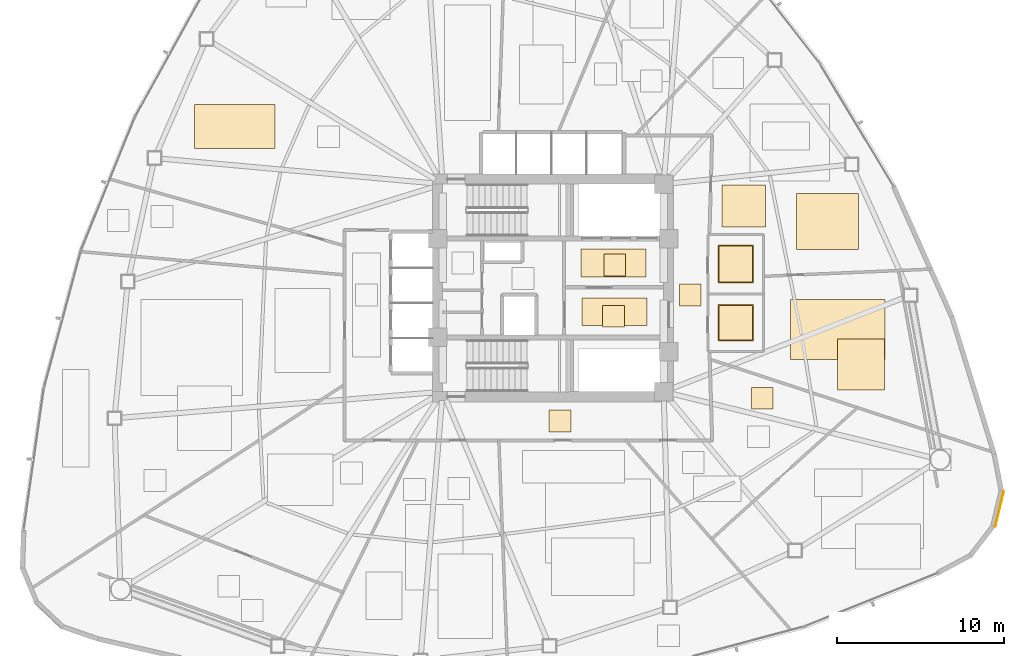
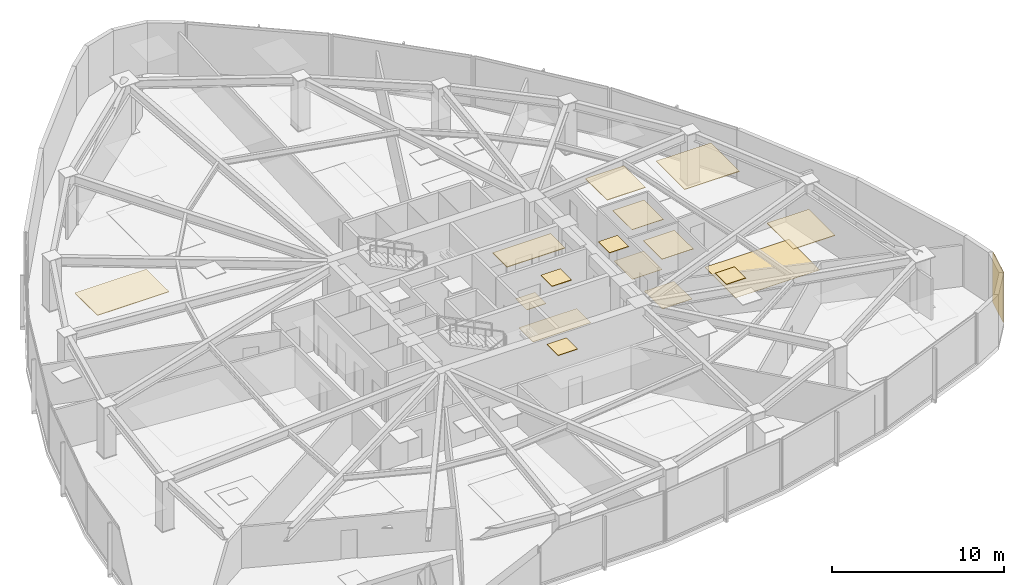
# One storey, part 16 of 17: 17 coverings.
"""IFC4 building model written with IfcOpenShell, lengths in metres."""

from ifc_helpers import new_model, si_unit, direction, frame, origin, origin_2d, place, context, subcontext, project, spatial, polyline, rectangle, outline, extrude, material, layer, layer_set, type_object, element, save


model = new_model("IFC4")

# Units and contexts
model_context = context("Model", 3, precision=1e-05, world=origin(), true_north=direction((0.0, 1.0)))
body_context = subcontext(model_context, "Body", "Model", "MODEL_VIEW")
ifc_project = project(units=[si_unit("LENGTHUNIT", "METRE"), si_unit("AREAUNIT", "SQUARE_METRE"), si_unit("VOLUMEUNIT", "CUBIC_METRE"), si_unit("PLANEANGLEUNIT", "RADIAN"), si_unit("MASSUNIT", "GRAM", prefix="KILO")], contexts=[model_context])

# Site, building, storey
site_placement = place(None, origin())
site = spatial("IfcSite", under=ifc_project, at=site_placement, CompositionType="ELEMENT")
building_placement = place(site_placement, origin())
building = spatial("IfcBuilding", under=site, at=building_placement, Name="Tavelor Broadcast Tower", CompositionType="ELEMENT")
storey_placement = place(building_placement, frame((0.0, 0.0, 43.199951171875)))
storey = spatial("IfcBuildingStorey", under=building, at=storey_placement, Name="L09", CompositionType="ELEMENT", Elevation=43.199951171875)

# Coverings
ifc_material_1 = material(Name="Copper-Bronze Anodized Aluminium", Category="aluminium")
ifc_layer_1 = layer(ifc_material_1, 0.044921875)
ifc_layer_set_1 = layer_set([ifc_layer_1], Name="Copper-Bronze Anodized Aluminium")
covering_type_1 = type_object("IfcCoveringType", Name="Anodised Bronze Linear Slatted Concourse Ceiling 45 mm", PredefinedType="CEILING", material=ifc_layer_set_1)
covering_1_placement = place(storey_placement, frame((0.0, 0.0, 3.554931640625)))
element("IfcCovering", 1, at=covering_1_placement, inside=storey, type_object=covering_type_1, Name="L09 Suspended Acoustic Ceiling 0297", PredefinedType="CEILING", context=body_context, shape_type="SweptSolid", body=[
    extrude(outline(polyline([(51.659912109375, 45.654296875), (55.55712890625, 45.654296875), (55.55712890625, 47.331787109375), (51.659912109375, 47.331787109375), (51.659912109375, 45.654296875)])), origin(), (0.0, 0.0, 1.0), 0.045166015625),
])
covering_2_placement = place(storey_placement, frame((0.0, 0.0, 3.554931640625)))
element("IfcCovering", 2, at=covering_2_placement, inside=storey, type_object=covering_type_1, Name="L09 Suspended Acoustic Ceiling 0298", PredefinedType="CEILING", context=body_context, shape_type="SweptSolid", body=[
    extrude(outline(polyline([(52.95361328125, 42.656982421875), (54.25341796875, 42.656982421875), (54.25341796875, 43.95703125), (52.95361328125, 43.95703125), (52.95361328125, 42.656982421875)])), origin(), (0.0, 0.0, 1.0), 0.045166015625),
])
ifc_layer_2 = layer(ifc_material_1, 0.050048828125)
ifc_layer_set_2 = layer_set([ifc_layer_2], Name="Copper-Bronze Anodized Aluminium")
covering_type_2 = type_object("IfcCoveringType", Name="Champagne-Bronze Corner Pier Metal Cladding 50 mm", PredefinedType="CLADDING", material=ifc_layer_set_2)
covering_3_placement = place(storey_placement, frame((76.659912109375, 31.7880859375, 0.02001953125), z_axis=(0.0, 0.0, 1.0), x_axis=(0.230898908261, 0.972977745976, 0.0)))
element("IfcCovering", 3, at=covering_3_placement, inside=storey, type_object=covering_type_2, Name="L09 Champagne-Bronze Corner Cladding 23", PredefinedType="CLADDING", context=body_context, shape_type="SweptSolid", body=[
    extrude(rectangle(XDim=2.1552734375, YDim=0.050048828125, at=origin_2d()), origin(), (0.0, 0.0, 1.0), 3.56005859375),
])
ifc_material_2 = material(Name="Architectural Anodized Aluminium", Category="aluminium")
ifc_layer_3 = layer(ifc_material_2, 0.034912109375)
ifc_layer_set_3 = layer_set([ifc_layer_3], Name="Architectural Anodized Aluminium")
covering_type_3 = type_object("IfcCoveringType", Name="Demountable Metal Tile Corridor Ceiling 35 mm", PredefinedType="CEILING", material=ifc_layer_set_3)
covering_4_placement = place(storey_placement, frame((0.0, 0.0, 3.56494140625)))
element("IfcCovering", 4, at=covering_4_placement, inside=storey, type_object=covering_type_3, Name="L09 Suspended Acoustic Ceiling 0301", PredefinedType="CEILING", context=body_context, shape_type="SweptSolid", body=[
    extrude(outline(polyline([(57.5400390625, 43.925048828125), (58.840087890625, 43.925048828125), (58.840087890625, 45.22509765625), (57.5400390625, 45.22509765625), (57.5400390625, 43.925048828125)])), origin(), (0.0, 0.0, 1.0), 0.03515625),
])
covering_5_placement = place(storey_placement, frame((0.0, 0.0, 3.56494140625)))
element("IfcCovering", 5, at=covering_5_placement, inside=storey, type_object=covering_type_3, Name="L09 Suspended Acoustic Ceiling 0302", PredefinedType="CEILING", context=body_context, shape_type="SweptSolid", body=[
    extrude(outline(polyline([(49.75244140625, 36.39990234375), (51.052490234375, 36.39990234375), (51.052490234375, 37.699951171875), (49.75244140625, 37.699951171875), (49.75244140625, 36.39990234375)])), origin(), (0.0, 0.0, 1.0), 0.03515625),
])
ifc_material_3 = material(Name="Acoustic Nylon Carpet Tile")
ifc_layer_4 = layer(ifc_material_3, 0.02001953125)
ifc_layer_set_4 = layer_set([ifc_layer_4], Name="Acoustic Nylon Carpet Tile")
covering_type_4 = type_object("IfcCoveringType", Name="Heavy-Duty Acoustic Broadcast Carpet Tile 20 mm", PredefinedType="FLOORING", material=ifc_layer_set_4)
covering_6_placement = place(storey_placement, origin())
element("IfcCovering", 6, at=covering_6_placement, inside=storey, type_object=covering_type_4, Name="L09 Broadcast Floor Finish 0116", PredefinedType="FLOORING", context=body_context, shape_type="SweptSolid", body=[
    extrude(outline(polyline([(64.165283203125, 40.72021484375), (69.82861328125, 40.72021484375), (69.82861328125, 44.306640625), (64.165283203125, 44.306640625), (64.165283203125, 40.72021484375)])), origin(), (0.0, 0.0, 1.0), 0.02001953125),
])
ifc_material_4 = material(Name="Honed Natural Limestone Tile", Category="masonry")
ifc_layer_5 = layer(ifc_material_4, 0.030029296875)
ifc_layer_set_5 = layer_set([ifc_layer_5], Name="Honed Natural Limestone Tile")
covering_type_5 = type_object("IfcCoveringType", Name="Honed Jerusalem Limestone Concourse Flooring 30 mm", PredefinedType="FLOORING", material=ifc_layer_set_5)
covering_7_placement = place(storey_placement, origin())
element("IfcCovering", 7, at=covering_7_placement, inside=storey, type_object=covering_type_5, Name="L09 Broadcast Floor Finish 0102", PredefinedType="FLOORING", context=body_context, shape_type="SweptSolid", body=[
    extrude(outline(polyline([(53.030029296875, 45.728515625), (54.330078125, 45.728515625), (54.330078125, 47.028564453125), (53.030029296875, 47.028564453125), (53.030029296875, 45.728515625)])), origin(), (0.0, 0.0, 1.0), 0.030029296875),
])
covering_8_placement = place(storey_placement, origin())
element("IfcCovering", 8, at=covering_8_placement, inside=storey, type_object=covering_type_5, Name="L09 Broadcast Floor Finish 0103", PredefinedType="FLOORING", context=body_context, shape_type="SweptSolid", body=[
    extrude(outline(polyline([(51.728759765625, 42.743408203125), (55.62109375, 42.743408203125), (55.62109375, 44.396484375), (51.728759765625, 44.396484375), (51.728759765625, 42.743408203125)])), origin(), (0.0, 0.0, 1.0), 0.030029296875),
])
ifc_layer_6 = layer(ifc_material_2, 0.030029296875)
ifc_layer_set_6 = layer_set([ifc_layer_6], Name="Architectural Anodized Aluminium")
covering_type_6 = type_object("IfcCoveringType", Name="Moisture-Resistant Washroom Ceiling 30 mm", PredefinedType="CEILING", material=ifc_layer_set_6)
covering_9_placement = place(storey_placement, frame((0.0, 0.0, 3.570068359375)))
element("IfcCovering", 9, at=covering_9_placement, inside=storey, type_object=covering_type_6, Name="L09 Suspended Acoustic Ceiling 0304", PredefinedType="CEILING", context=body_context, shape_type="SweptSolid", body=[
    extrude(outline(polyline([(59.85302734375, 41.828369140625), (61.967041015625, 41.828369140625), (61.967041015625, 44.021484375), (59.85302734375, 44.021484375), (59.85302734375, 41.828369140625)])), origin(), (0.0, 0.0, 1.0), 0.030029296875),
])
covering_10_placement = place(storey_placement, frame((0.0, 0.0, 3.570068359375)))
element("IfcCovering", 10, at=covering_10_placement, inside=storey, type_object=covering_type_6, Name="L09 Suspended Acoustic Ceiling 0305", PredefinedType="CEILING", context=body_context, shape_type="SweptSolid", body=[
    extrude(outline(polyline([(59.85302734375, 45.29248046875), (61.967041015625, 45.29248046875), (61.967041015625, 47.5576171875), (59.85302734375, 47.5576171875), (59.85302734375, 45.29248046875)])), origin(), (0.0, 0.0, 1.0), 0.030029296875),
])
ifc_material_5 = material(Name="Slip-Resistant Porcelain Tile")
ifc_layer_7 = layer(ifc_material_5, 0.02490234375)
ifc_layer_set_7 = layer_set([ifc_layer_7], Name="Slip-Resistant Porcelain Tile")
covering_type_7 = type_object("IfcCoveringType", Name="Slip-Resistant Porcelain Wet-Area Floor Tile 25 mm", PredefinedType="FLOORING", material=ifc_layer_set_7)
covering_11_placement = place(storey_placement, origin())
element("IfcCovering", 11, at=covering_11_placement, inside=storey, type_object=covering_type_7, Name="L09 Broadcast Floor Finish 0105", PredefinedType="FLOORING", context=body_context, shape_type="SweptSolid", body=[
    extrude(outline(polyline([(59.91064453125, 41.885986328125), (61.909423828125, 41.885986328125), (61.909423828125, 43.964111328125), (59.91064453125, 43.964111328125), (59.91064453125, 41.885986328125)])), origin(), (0.0, 0.0, 1.0), 0.025146484375),
])
covering_12_placement = place(storey_placement, origin())
element("IfcCovering", 12, at=covering_12_placement, inside=storey, type_object=covering_type_7, Name="L09 Broadcast Floor Finish 0106", PredefinedType="FLOORING", context=body_context, shape_type="SweptSolid", body=[
    extrude(outline(polyline([(59.91064453125, 45.35009765625), (61.909423828125, 45.35009765625), (61.909423828125, 47.5), (59.91064453125, 47.5), (59.91064453125, 45.35009765625)])), origin(), (0.0, 0.0, 1.0), 0.025146484375),
])
ifc_material_6 = material(Name="Acoustic Mineral Fibre Tile")
ifc_layer_8 = layer(ifc_material_6, 0.0400390625)
ifc_layer_set_8 = layer_set([ifc_layer_8], Name="Acoustic Mineral Fibre Tile")
covering_type_8 = type_object("IfcCoveringType", Name="Suspended Acoustic Mineral-Fibre Office Ceiling 40 mm", PredefinedType="CEILING", material=ifc_layer_set_8)
covering_13_placement = place(storey_placement, frame((0.0, 0.0, 3.56005859375)))
element("IfcCovering", 13, at=covering_13_placement, inside=storey, type_object=covering_type_8, Name="L09 Suspended Acoustic Ceiling 0324", PredefinedType="CEILING", context=body_context, shape_type="SweptSolid", body=[
    extrude(outline(polyline([(28.5634765625, 53.326416015625), (33.379150390625, 53.326416015625), (33.379150390625, 55.96142578125), (28.5634765625, 55.96142578125), (28.5634765625, 53.326416015625)])), origin(), (0.0, 0.0, 1.0), 0.0400390625),
])
covering_14_placement = place(storey_placement, frame((0.0, 0.0, 3.56005859375)))
element("IfcCovering", 14, at=covering_14_placement, inside=storey, type_object=covering_type_8, Name="L09 Suspended Acoustic Ceiling 0333", PredefinedType="CEILING", context=body_context, shape_type="SweptSolid", body=[
    extrude(outline(polyline([(64.5498046875, 47.30810546875), (68.232666015625, 47.30810546875), (68.232666015625, 50.63037109375), (64.5498046875, 50.63037109375), (64.5498046875, 47.30810546875)])), origin(), (0.0, 0.0, 1.0), 0.0400390625),
])
covering_15_placement = place(storey_placement, frame((0.0, 0.0, 3.56005859375)))
element("IfcCovering", 15, at=covering_15_placement, inside=storey, type_object=covering_type_8, Name="L09 Suspended Acoustic Ceiling 0334", PredefinedType="CEILING", context=body_context, shape_type="SweptSolid", body=[
    extrude(outline(polyline([(60.096923828125, 48.63232421875), (62.6875, 48.63232421875), (62.6875, 51.151611328125), (60.096923828125, 51.151611328125), (60.096923828125, 48.63232421875)])), origin(), (0.0, 0.0, 1.0), 0.0400390625),
])
covering_16_placement = place(storey_placement, frame((0.0, 0.0, 3.56005859375)))
element("IfcCovering", 16, at=covering_16_placement, inside=storey, type_object=covering_type_8, Name="L09 Suspended Acoustic Ceiling 0336", PredefinedType="CEILING", context=body_context, shape_type="SweptSolid", body=[
    extrude(outline(polyline([(66.98828125, 38.902099609375), (69.79541015625, 38.902099609375), (69.79541015625, 41.954833984375), (66.98828125, 41.954833984375), (66.98828125, 38.902099609375)])), origin(), (0.0, 0.0, 1.0), 0.0400390625),
])
covering_17_placement = place(storey_placement, frame((0.0, 0.0, 3.56005859375)))
element("IfcCovering", 17, at=covering_17_placement, inside=storey, type_object=covering_type_8, Name="L09 Suspended Acoustic Ceiling 0340", PredefinedType="CEILING", context=body_context, shape_type="SweptSolid", body=[
    extrude(outline(polyline([(61.83837890625, 37.756591796875), (63.138427734375, 37.756591796875), (63.138427734375, 39.056396484375), (61.83837890625, 39.056396484375), (61.83837890625, 37.756591796875)])), origin(), (0.0, 0.0, 1.0), 0.0400390625),
])

save(model, "model.ifc")
